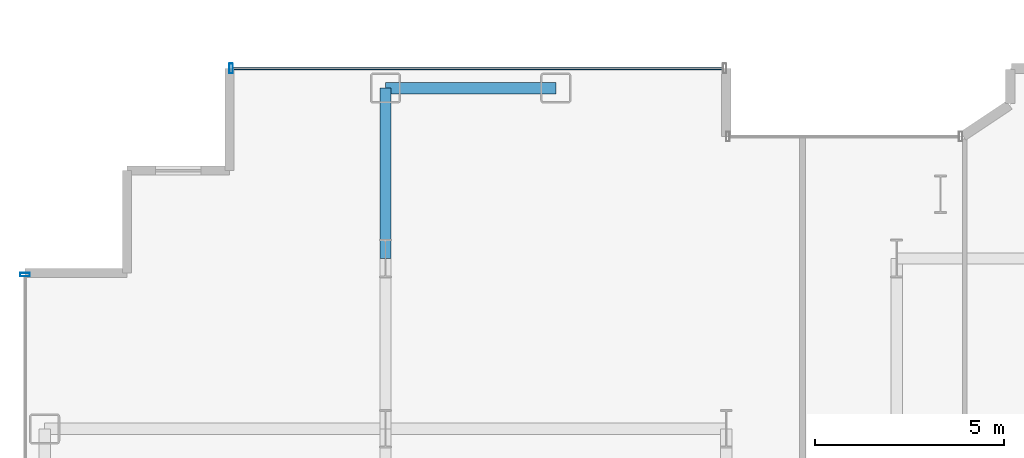
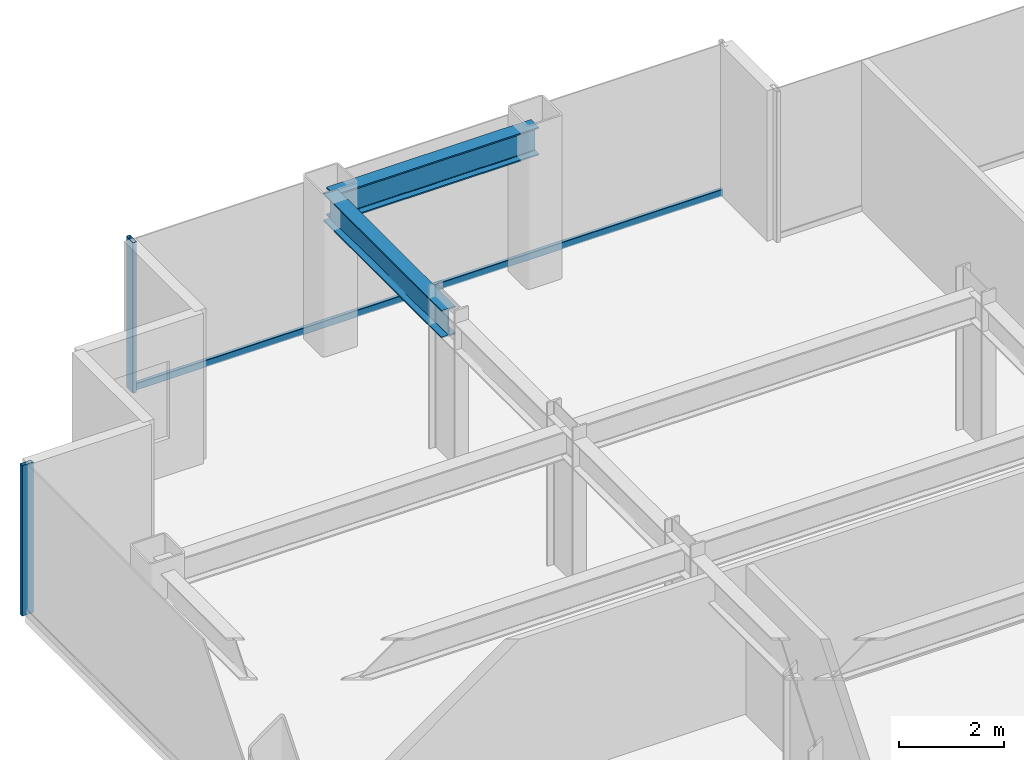
# One storey, part 9 of 26: 3 members, 2 beams, 2 elements without a shape of their own.
"""IFC4 building model written with IfcOpenShell, lengths in metres."""

import ifcopenshell
import ifcopenshell.guid

model = None  # the IFC model being written
_history = None  # IfcOwnerHistory: only IFC2X3 demands one
_inside = {}  # id of a spatial element -> (the spatial element, [elements in it])
_under = {}  # id of a project, library or spatial element -> (it, [spatial elements below it])
_declared = {}  # id of a project -> (the project, [libraries it declares])
_typed = {}  # id of a type object -> (the type object, [elements of that type])
_made_of = {}  # id of a material, layer set ... -> (it, [elements and type objects made of it])


def new_model(schema):
    """Start an empty IFC model of exactly this schema.

    Asked for "IFC4X3", IfcOpenShell would pick the latest addendum, in which some entities
    have other attributes; the version numbers below select the first issue.
    IFC2X3 requires an IfcOwnerHistory on every rooted entity: one is made here for all.
    """
    global model, _history
    if schema == "IFC4X3":
        model = ifcopenshell.file(schema_version=(4, 3, 0, 0))
    else:
        model = ifcopenshell.file(schema=schema)
    _inside.clear()
    _under.clear()
    _declared.clear()
    _typed.clear()
    _made_of.clear()
    _history = None
    if model.schema == "IFC2X3":
        org = make("IfcOrganization", Name="unknown")
        user = make(
            "IfcPersonAndOrganization",
            ThePerson=make("IfcPerson", FamilyName="unknown"),
            TheOrganization=org,
        )
        app = make(
            "IfcApplication",
            ApplicationDeveloper=org,
            Version="unknown",
            ApplicationFullName="unknown",
            ApplicationIdentifier="unknown",
        )
        _history = make(
            "IfcOwnerHistory",
            OwningUser=user,
            OwningApplication=app,
            ChangeAction="ADDED",
            CreationDate=0,
        )
    return model


def make(cls, **values):
    """One entity of the class cls with the attributes given. An attribute that is None is left unset."""
    return model.create_entity(
        cls, **{name: value for name, value in values.items() if value is not None}
    )


def rooted(cls, **values):
    """An entity with a GlobalId (a new one), such as an element, a storey or a relation."""
    return make(cls, GlobalId=ifcopenshell.guid.new(), OwnerHistory=_history, **values)


def si_unit(unit_type, name, prefix=None):
    """IfcSIUnit, for example si_unit("LENGTHUNIT", "METRE", prefix="MILLI")."""
    return make("IfcSIUnit", UnitType=unit_type, Prefix=prefix, Name=name)


def assignment(units):
    """IfcUnitAssignment: the units of a project."""
    return None if units is None else make("IfcUnitAssignment", Units=units)


def point(xyz):
    """IfcCartesianPoint."""
    return None if xyz is None else make("IfcCartesianPoint", Coordinates=xyz)


def direction(xyz):
    """IfcDirection."""
    return None if xyz is None else make("IfcDirection", DirectionRatios=xyz)


def frame(location, z_axis=None, x_axis=None):
    """IfcAxis2Placement3D, a coordinate frame: its origin and axes. An axis left out is left unset."""
    return make(
        "IfcAxis2Placement3D",
        Location=point(location),
        Axis=direction(z_axis),
        RefDirection=direction(x_axis),
    )


def frame_2d(location, x_axis=None):
    """IfcAxis2Placement2D, a coordinate frame in the plane: its origin and x axis."""
    return make(
        "IfcAxis2Placement2D", Location=point(location), RefDirection=direction(x_axis)
    )


def origin():
    """The frame at (0, 0, 0) with its axes left unset."""
    return frame((0.0, 0.0, 0.0))


def origin_2d():
    """The frame at (0, 0) in the plane with its x axis left unset."""
    return frame_2d((0.0, 0.0))


def place(relative_to, where):
    """IfcLocalPlacement: puts the frame where relative to a parent placement (None: the world)."""
    return make(
        "IfcLocalPlacement", PlacementRelTo=relative_to, RelativePlacement=where
    )


def context(
    kind, dimensions, precision=None, world=None, true_north=None, identifier=None
):
    """IfcGeometricRepresentationContext, for example the 3D "Model" context."""
    return make(
        "IfcGeometricRepresentationContext",
        ContextIdentifier=identifier,
        ContextType=kind,
        CoordinateSpaceDimension=dimensions,
        Precision=precision,
        WorldCoordinateSystem=world,
        TrueNorth=true_north,
    )


def subcontext(parent, identifier, kind, view, scale=None):
    """IfcGeometricRepresentationSubContext, for example "Body" below "Model"."""
    return make(
        "IfcGeometricRepresentationSubContext",
        ContextIdentifier=identifier,
        ContextType=kind,
        ParentContext=parent,
        TargetScale=scale,
        TargetView=view,
    )


def project(units=None, contexts=None):
    """IfcProject with its units and contexts."""
    return rooted(
        "IfcProject",
        Name="project",
        RepresentationContexts=contexts,
        UnitsInContext=assignment(units),
    )


def spatial(cls, under=None, at=None, **own):
    """A site, building, storey or space (cls), placed at a placement, below another one or the project."""
    s = rooted(cls, ObjectPlacement=at, **own)
    if under is not None:
        _under.setdefault(under.id(), (under, []))[1].append(s)
    return s


def profile(cls, at=None, kind="AREA", **sizes):
    """A parametric profile (cls). Its sizes go by their IFC names, for example OverallWidth=200.0."""
    return make(cls, ProfileType=kind, Position=at, **sizes)


def hollow_rectangle(**sizes):
    """IfcRectangleHollowProfileDef."""
    return profile("IfcRectangleHollowProfileDef", **sizes)


def i_section(**sizes):
    """IfcIShapeProfileDef."""
    return profile("IfcIShapeProfileDef", **sizes)


def extrude(swept, where, along, depth):
    """IfcExtrudedAreaSolid: the profile swept, set in the frame where, extruded along a direction by depth."""
    return make(
        "IfcExtrudedAreaSolid",
        SweptArea=swept,
        Position=where,
        ExtrudedDirection=direction(along),
        Depth=depth,
    )


def shape(context_of_items, identifier, shape_type, items):
    """IfcShapeRepresentation: the items that make up one representation, for example the "Body"."""
    return make(
        "IfcShapeRepresentation",
        ContextOfItems=context_of_items,
        RepresentationIdentifier=identifier,
        RepresentationType=shape_type,
        Items=items,
    )


def source(mapping_origin, context_of_items, identifier, shape_type, items):
    """IfcRepresentationMap: a shape defined once, which mapped items show again and again."""
    return make(
        "IfcRepresentationMap",
        MappingOrigin=mapping_origin,
        MappedRepresentation=shape(context_of_items, identifier, shape_type, items),
    )


def transform(
    local_origin,
    x_axis=None,
    y_axis=None,
    z_axis=None,
    scale=None,
    scale2=None,
    scale3=None,
    uniform=True,
):
    """IfcCartesianTransformationOperator3D, or its non-uniform kind. x_axis, y_axis, z_axis: its Axis1, 2, 3."""
    if uniform:
        return make(
            "IfcCartesianTransformationOperator3D",
            Axis1=direction(x_axis),
            Axis2=direction(y_axis),
            LocalOrigin=point(local_origin),
            Scale=scale,
            Axis3=direction(z_axis),
        )
    return make(
        "IfcCartesianTransformationOperator3DnonUniform",
        Axis1=direction(x_axis),
        Axis2=direction(y_axis),
        LocalOrigin=point(local_origin),
        Scale=scale,
        Axis3=direction(z_axis),
        Scale2=scale2,
        Scale3=scale3,
    )


def mapped(mapping_source, mapping_target):
    """IfcMappedItem: shows the shape of a source again, moved by a transform."""
    return make(
        "IfcMappedItem", MappingSource=mapping_source, MappingTarget=mapping_target
    )


def material(Name=None, Category=None):
    """IfcMaterial."""
    return make("IfcMaterial", Name=Name, Category=Category)


def layer(
    of_material, thickness, ventilated=None, Name=None, Category=None, Priority=None
):
    """IfcMaterialLayer: one layer of a wall or slab, of a material (None: an air gap)."""
    return make(
        "IfcMaterialLayer",
        Material=of_material,
        LayerThickness=thickness,
        IsVentilated=ventilated,
        Name=Name,
        Category=Category,
        Priority=Priority,
    )


def layer_set(layers, Name=None):
    """IfcMaterialLayerSet."""
    return make("IfcMaterialLayerSet", MaterialLayers=layers, LayerSetName=Name)


def material_profile(
    of_material, cross_section, Name=None, Category=None, Priority=None
):
    """IfcMaterialProfile: a cross section and its material."""
    return make(
        "IfcMaterialProfile",
        Name=Name,
        Material=of_material,
        Profile=cross_section,
        Priority=Priority,
        Category=Category,
    )


def profile_set(profiles, Name=None, composite=None):
    """IfcMaterialProfileSet."""
    return make(
        "IfcMaterialProfileSet",
        Name=Name,
        MaterialProfiles=profiles,
        CompositeProfile=composite,
    )


def made_of(thing, what):
    """Note that an element or type object is made of a material, layer set ...; save() writes the relation."""
    if what is not None:
        _made_of.setdefault(what.id(), (what, []))[1].append(thing)
    return thing


def type_object(cls, material=None, **own):
    """A type object (cls), such as IfcWallType, which elements share."""
    return made_of(rooted(cls, **own), material)


def element(
    cls,
    number,
    at=None,
    inside=None,
    cuts=None,
    type_object=None,
    material=None,
    context=None,
    identifier="Body",
    shape_type=None,
    held_by="IfcProductDefinitionShape",
    body=None,
    shapes=None,
    **own,
):
    """One element of the class cls, such as IfcWall. Its Tag is "e" and its number.

    at: its placement. inside: the storey or other place that contains it. cuts: it is an
    opening in that element (IfcRelVoidsElement). A single representation is given by context,
    identifier, shape_type and body (its items); several are given by shapes. held_by: the class
    of the entity that holds the representations. save() writes the other relations.
    """
    e = rooted(cls, Tag="e%d" % number, ObjectPlacement=at, **own)
    if body is not None:
        shapes = [shape(context, identifier, shape_type, body)]
    if shapes is not None:
        e.Representation = make(held_by, Representations=shapes)
    if inside is not None:
        _inside.setdefault(inside.id(), (inside, []))[1].append(e)
    if cuts is not None:
        rooted(
            "IfcRelVoidsElement", RelatingBuildingElement=cuts, RelatedOpeningElement=e
        )
    if type_object is not None:
        _typed.setdefault(type_object.id(), (type_object, []))[1].append(e)
    return made_of(e, material)


def aggregate(whole, parts):
    """IfcRelAggregates: a whole, such as a stair, and the parts it consists of."""
    return rooted("IfcRelAggregates", RelatingObject=whole, RelatedObjects=parts)


def save(model, path):
    """Write the relations noted so far, then the file.

    IfcRelAggregates (storeys below a building ...), IfcRelContainedInSpatialStructure (elements
    in a storey), IfcRelDefinesByType, IfcRelAssociatesMaterial and IfcRelDeclares: one each for
    every whole, place, type object, material and project.
    """
    for whole, parts in _under.values():
        aggregate(whole, parts)
    for where, things in _inside.values():
        rooted(
            "IfcRelContainedInSpatialStructure",
            RelatedElements=things,
            RelatingStructure=where,
        )
    for kind, things in _typed.values():
        rooted("IfcRelDefinesByType", RelatedObjects=things, RelatingType=kind)
    for what, things in _made_of.values():
        rooted("IfcRelAssociatesMaterial", RelatedObjects=things, RelatingMaterial=what)
    for by, libraries in _declared.values():
        rooted("IfcRelDeclares", RelatingContext=by, RelatedDefinitions=libraries)
    model.write(path)


model = new_model("IFC4")

# Units and contexts
model_context = context("Model", 3, precision=1e-05, world=origin(), true_north=direction((0.0, 1.0)))
body_context = subcontext(model_context, "Body", "Model", "MODEL_VIEW")
ifc_project = project(units=[si_unit("LENGTHUNIT", "METRE"), si_unit("AREAUNIT", "SQUARE_METRE"), si_unit("VOLUMEUNIT", "CUBIC_METRE"), si_unit("PLANEANGLEUNIT", "RADIAN"), si_unit("MASSUNIT", "GRAM", prefix="KILO")], contexts=[model_context])

# Site, building, storey
site_placement = place(None, origin())
site = spatial("IfcSite", under=ifc_project, at=site_placement, CompositionType="ELEMENT")
building_placement = place(site_placement, origin())
building = spatial("IfcBuilding", under=site, at=building_placement, Name="Nefas-Gora Pilgrimage Tower", CompositionType="ELEMENT")
storey_placement = place(building_placement, frame((0.0, 0.0, 140.199951171875)))
storey = spatial("IfcBuildingStorey", under=building, at=storey_placement, Name="L34", CompositionType="ELEMENT", Elevation=140.199951171875)

# Beams
ifc_material_1 = material(Name="Steel S355", Category="steel")
ifc_material_profile_1 = material_profile(ifc_material_1, i_section(OverallWidth=0.300048828125, OverallDepth=0.64990234375, WebThickness=0.01611328125, FlangeThickness=0.031005859375, FilletRadius=0.027099609375, at=origin_2d()), Name="HEB 650")
ifc_profile_set_1 = profile_set([ifc_material_profile_1], Name="Steel S355")
beam_type_1 = type_object("IfcBeamType", Name="BM-SPN-HEB500", PredefinedType="SPANDREL", material=ifc_profile_set_1)
shared_shape_1 = source(origin(), body_context, "Body", "SweptSolid", [
    extrude(i_section(OverallWidth=0.300048828125, OverallDepth=0.64990234375, WebThickness=0.01611328125, FlangeThickness=0.031005859375, FilletRadius=0.027099609375, at=origin_2d()), origin(), (0.0, 0.0, 1.0), 4.5),
])
beam_1_placement = place(storey_placement, frame((-24.75, 22.5, 3.175048828125), z_axis=(1.0, 0.0, 0.0), x_axis=(0.0, 1.0, 0.0)))
element("IfcBeam", 1, at=beam_1_placement, inside=storey, type_object=beam_type_1, Name="L34 SP-02 beam", PredefinedType="SPANDREL", context=body_context, shape_type="MappedRepresentation", body=[
    mapped(shared_shape_1, transform((0.0, 0.0, 0.0), x_axis=(1.0, 0.0, 0.0), y_axis=(0.0, 1.0, 0.0), z_axis=(0.0, 0.0, 1.0), scale=1.0)),
])
ifc_material_profile_2 = material_profile(ifc_material_1, i_section(OverallWidth=0.300048828125, OverallDepth=0.64990234375, WebThickness=0.01611328125, FlangeThickness=0.031005859375, FilletRadius=0.027099609375, at=origin_2d()), Name="HEB 650")
ifc_profile_set_2 = profile_set([ifc_material_profile_2], Name="Steel S355")
beam_type_2 = type_object("IfcBeamType", Name="BM-GIR-HEB650", PredefinedType="BEAM", material=ifc_profile_set_2)
shared_shape_2 = source(origin(), body_context, "Body", "SweptSolid", [
    extrude(i_section(OverallWidth=0.300048828125, OverallDepth=0.64990234375, WebThickness=0.01611328125, FlangeThickness=0.031005859375, FilletRadius=0.027099609375, at=origin_2d()), origin(), (0.0, 0.0, 1.0), 4.5),
])
beam_2_placement = place(storey_placement, frame((-24.75, 18.0, 3.175048828125), z_axis=(0.0, 1.0, 0.0), x_axis=(-1.0, 0.0, 0.0)))
element("IfcBeam", 2, at=beam_2_placement, inside=storey, type_object=beam_type_2, Name="L34 G-03 beam", PredefinedType="BEAM", context=body_context, shape_type="MappedRepresentation", body=[
    mapped(shared_shape_2, transform((0.0, 0.0, 0.0), x_axis=(1.0, 0.0, 0.0), y_axis=(0.0, 1.0, 0.0), z_axis=(0.0, 0.0, 1.0), scale=1.0)),
])

# Curtain wall, members
ifc_material_2 = material(Name="Dark ceramic-fritted solar-control aluminium-glass curtain wall", Category="aluminium")
ifc_layer = layer(ifc_material_2, 0.219970703125)
ifc_layer_set = layer_set([ifc_layer], Name="Dark ceramic-fritted solar-control aluminium-glass curtain wall")
curtain_wall_type = type_object("IfcCurtainWallType", Name="CW-SYS-2", PredefinedType="NOTDEFINED", material=ifc_layer_set)
curtain_wall_1_placement = place(storey_placement, origin())
curtain_wall_1 = element("IfcCurtainWall", 3, at=curtain_wall_1_placement, inside=storey, type_object=curtain_wall_type, Name="L34 Unitised Curtain Wall CW2", PredefinedType="NOTDEFINED")
ifc_material_3 = material(Name="Anodised architectural aluminium", Category="aluminium")
ifc_material_profile_3 = material_profile(ifc_material_3, hollow_rectangle(XDim=0.080078125, YDim=0.159912109375, WallThickness=0.00439453125, InnerFilletRadius=0.00439453125, OuterFilletRadius=0.009033203125, at=origin_2d()), Name="ALU TRANSOM 80x160")
ifc_profile_set_3 = profile_set([ifc_material_profile_3], Name="Anodised architectural aluminium")
member_type_1 = type_object("IfcMemberType", Name="CWM-TRN-2", PredefinedType="USERDEFINED", material=ifc_profile_set_3)
shared_shape_3 = source(origin(), body_context, "Body", "SweptSolid", [
    extrude(hollow_rectangle(XDim=0.080078125, YDim=0.159912109375, WallThickness=0.00439453125, InnerFilletRadius=0.00439453125, OuterFilletRadius=0.009033203125, at=origin_2d()), origin(), (0.0, 0.0, 1.0), 12.93994140625),
])
member_1_placement = place(storey_placement, frame((-15.840087890625, 23.02001953125, 0.050048828125), z_axis=(-1.0, 0.0, 0.0), x_axis=(0.0, -1.0, 0.0)))
member_1 = element("IfcMember", 4, at=member_1_placement, type_object=member_type_1, Name="CW2 Spandrel Transom", ObjectType="TRANSOM", PredefinedType="USERDEFINED", context=body_context, shape_type="MappedRepresentation", body=[
    mapped(shared_shape_3, transform((0.0, 0.0, 0.0), x_axis=(1.0, 0.0, 0.0), y_axis=(0.0, 1.0, 0.0), z_axis=(0.0, 0.0, 1.0), scale=1.0)),
])
ifc_material_profile_4 = material_profile(ifc_material_3, hollow_rectangle(XDim=0.090087890625, YDim=0.260009765625, WallThickness=0.006103515625, InnerFilletRadius=0.006103515625, OuterFilletRadius=0.011962890625, at=origin_2d()), Name="ALU MULLION 90x260")
ifc_profile_set_4 = profile_set([ifc_material_profile_4], Name="Anodised architectural aluminium")
member_type_2 = type_object("IfcMemberType", Name="CWM-MUL-2", PredefinedType="MULLION", material=ifc_profile_set_4)
shared_shape_4 = source(origin(), body_context, "Body", "SweptSolid", [
    extrude(hollow_rectangle(XDim=0.090087890625, YDim=0.260009765625, WallThickness=0.006103515625, InnerFilletRadius=0.006103515625, OuterFilletRadius=0.011962890625, at=origin_2d()), origin(), (0.0, 0.0, 1.0), 3.5),
])
member_2_placement = place(storey_placement, frame((-28.824951171875, 23.02001953125, 0.0), z_axis=(0.0, 0.0, 1.0), x_axis=(-1.0, 0.0, 0.0)))
member_2 = element("IfcMember", 5, at=member_2_placement, type_object=member_type_2, Name="CW2 Mullion 2", PredefinedType="MULLION", context=body_context, shape_type="MappedRepresentation", body=[
    mapped(shared_shape_4, transform((0.0, 0.0, 0.0), x_axis=(1.0, 0.0, 0.0), y_axis=(0.0, 1.0, 0.0), z_axis=(0.0, 0.0, 1.0), scale=1.0)),
])
aggregate(curtain_wall_1, [member_2, member_1])

# Curtain wall, member
curtain_wall_2_placement = place(storey_placement, origin())
curtain_wall_2 = element("IfcCurtainWall", 6, at=curtain_wall_2_placement, inside=storey, type_object=curtain_wall_type, Name="L34 Unitised Curtain Wall CW2", PredefinedType="NOTDEFINED")
member_3_placement = place(storey_placement, frame((-34.27001953125, 17.574951171875, 0.0), z_axis=(0.0, 0.0, 1.0), x_axis=(0.0, -1.0, 0.0)))
member_3 = element("IfcMember", 7, at=member_3_placement, type_object=member_type_2, Name="CW2 Mullion 1", PredefinedType="MULLION", context=body_context, shape_type="MappedRepresentation", body=[
    mapped(shared_shape_4, transform((0.0, 0.0, 0.0), x_axis=(1.0, 0.0, 0.0), y_axis=(0.0, 1.0, 0.0), z_axis=(0.0, 0.0, 1.0), scale=1.0)),
])
aggregate(curtain_wall_2, [member_3])

save(model, "model.ifc")
